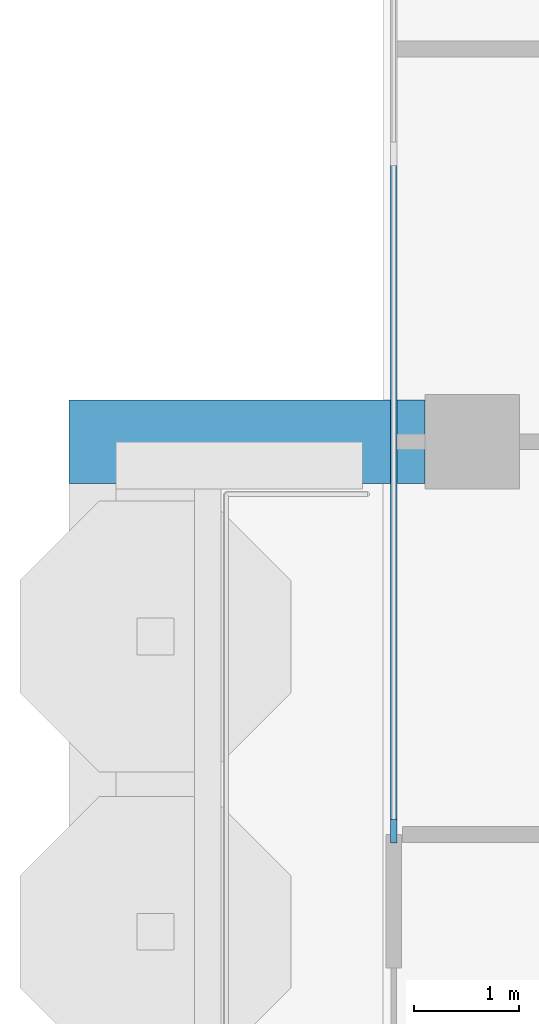
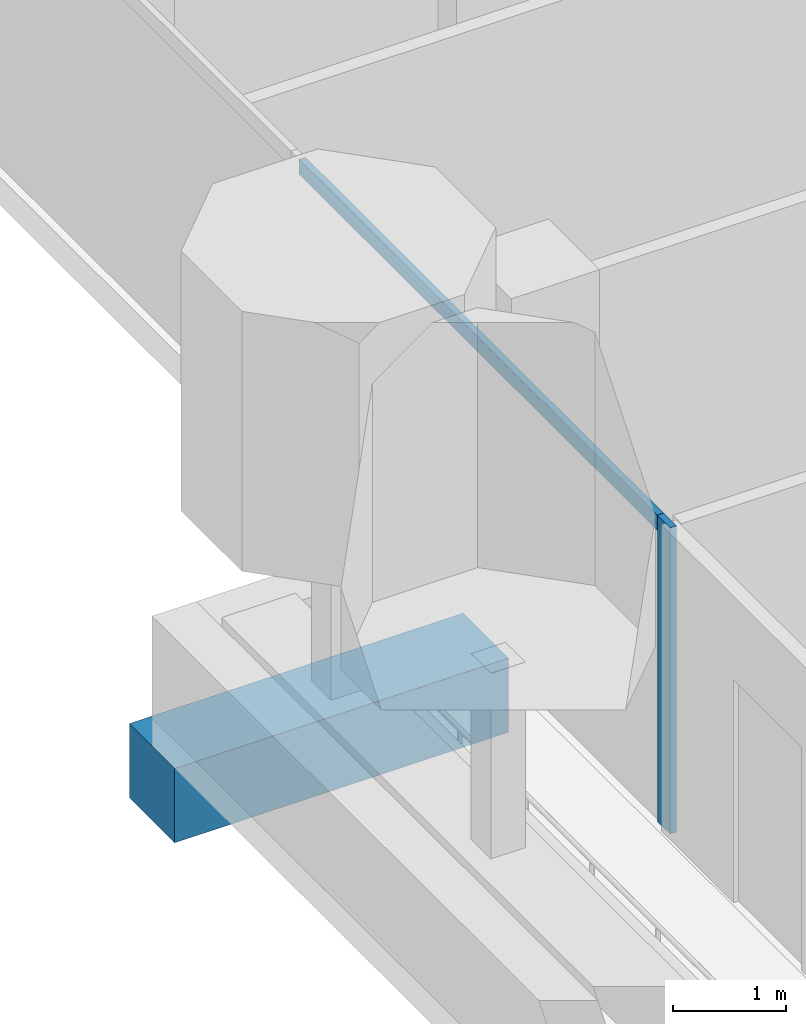
# One storey, part 3 of 19: 2 members, 1 beam, 1 element without a shape of its own.
"""IFC4 building model written with IfcOpenShell, lengths in metres."""

from ifc_helpers import new_model, si_unit, direction, frame, origin, origin_2d, place, context, subcontext, project, spatial, rectangle, extrude, material, material_profile, profile_set, type_object, element, aggregate, save


model = new_model("IFC4")

# Units and contexts
model_context = context("Model", 3, precision=1e-05, world=origin(), true_north=direction((0.0, 1.0)))
body_context = subcontext(model_context, "Body", "Model", "MODEL_VIEW")
ifc_project = project(units=[si_unit("LENGTHUNIT", "METRE"), si_unit("AREAUNIT", "SQUARE_METRE"), si_unit("VOLUMEUNIT", "CUBIC_METRE"), si_unit("PLANEANGLEUNIT", "RADIAN"), si_unit("MASSUNIT", "GRAM", prefix="KILO")], contexts=[model_context])

# Site, building, storey
site_placement = place(None, origin())
site = spatial("IfcSite", under=ifc_project, at=site_placement, CompositionType="ELEMENT")
building_placement = place(site_placement, origin())
building = spatial("IfcBuilding", under=site, at=building_placement, Name="Pilkhan Gate Tower", CompositionType="ELEMENT")
storey_placement = place(building_placement, frame((0.0, 0.0, 239.10009765625)))
storey = spatial("IfcBuildingStorey", under=building, at=storey_placement, Name="L62", CompositionType="ELEMENT", Elevation=239.10009765625)

# Beam
ifc_material_1 = material(Name="Concrete C50/60", Category="concrete")
ifc_material_profile_1 = material_profile(ifc_material_1, rectangle(XDim=0.800048828125, YDim=0.800048828125, at=origin_2d()), Name="RC 800x800")
ifc_profile_set_1 = profile_set([ifc_material_profile_1], Name="Concrete C50/60")
beam_type = type_object("IfcBeamType", Name="Cantilever beam CB2 RC 800x800 C50/60", PredefinedType="BEAM", material=ifc_profile_set_1)
beam_placement = place(storey_placement, frame((48.300048828125, 67.5, -0.7001953125), z_axis=(-1.0, 0.0, 0.0), x_axis=(0.0, -1.0, 0.0)))
element("IfcBeam", 1, at=beam_placement, inside=storey, type_object=beam_type, Name="Balcony beam W.3 L62", PredefinedType="BEAM", context=body_context, shape_type="SweptSolid", body=[
    extrude(rectangle(XDim=0.800048828125, YDim=0.800048828125, at=origin_2d()), origin(), (0.0, 0.0, 1.0), 3.400146484375),
])

# Curtain wall, members
ifc_material_2 = material(Name="Pale anodised aluminium, clear low-iron double glazing", Category="aluminium")
curtain_wall_type = type_object("IfcCurtainWallType", Name="Office unitised curtain wall CW-O2", PredefinedType="USERDEFINED", material=ifc_material_2)
curtain_wall_placement = place(storey_placement, origin())
curtain_wall = element("IfcCurtainWall", 2, at=curtain_wall_placement, inside=storey, type_object=curtain_wall_type, Name="Office unitised curtain wall CW-O2 L62 W", ObjectType="UNITISED CURTAIN WALL", PredefinedType="USERDEFINED")
ifc_material_3 = material(Name="Pale anodised aluminium", Category="aluminium")
ifc_material_profile_2 = material_profile(ifc_material_3, rectangle(XDim=0.06494140625, YDim=0.22509765625, at=origin_2d()), Name="Mullion 225x65")
ifc_profile_set_2 = profile_set([ifc_material_profile_2], Name="Pale anodised aluminium")
member_type_1 = type_object("IfcMemberType", Name="Mullion CW-O2 225x65", PredefinedType="MULLION", material=ifc_profile_set_2)
member_1_placement = place(storey_placement, frame((48.0, 63.782470703125, 0.0), z_axis=(0.0, 0.0, 1.0), x_axis=(-1.0, 0.0, 0.0)))
member_1 = element("IfcMember", 3, at=member_1_placement, type_object=member_type_1, Name="CW-O2 mullion 1", PredefinedType="MULLION", context=body_context, shape_type="SweptSolid", body=[
    extrude(rectangle(XDim=0.06494140625, YDim=0.22509765625, at=origin_2d()), origin(), (0.0, 0.0, 1.0), 3.2998046875),
])
ifc_material_profile_3 = material_profile(ifc_material_3, rectangle(XDim=0.06494140625, YDim=0.1650390625, at=origin_2d()), Name="Transom 165x65")
ifc_profile_set_3 = profile_set([ifc_material_profile_3], Name="Pale anodised aluminium")
member_type_2 = type_object("IfcMemberType", Name="Transom CW-O2 165x65", PredefinedType="USERDEFINED", material=ifc_profile_set_3)
member_2_placement = place(storey_placement, frame((48.0, 63.81494140625, 3.21728515625), z_axis=(0.0, 1.0, 0.0), x_axis=(-1.0, 0.0, 0.0)))
member_2 = element("IfcMember", 4, at=member_2_placement, type_object=member_type_2, Name="CW-O2 transom 1", ObjectType="TRANSOM", PredefinedType="USERDEFINED", context=body_context, shape_type="SweptSolid", body=[
    extrude(rectangle(XDim=0.06494140625, YDim=0.1650390625, at=origin_2d()), origin(), (0.0, 0.0, 1.0), 6.402587890625),
])
aggregate(curtain_wall, [member_1, member_2])

save(model, "model.ifc")
